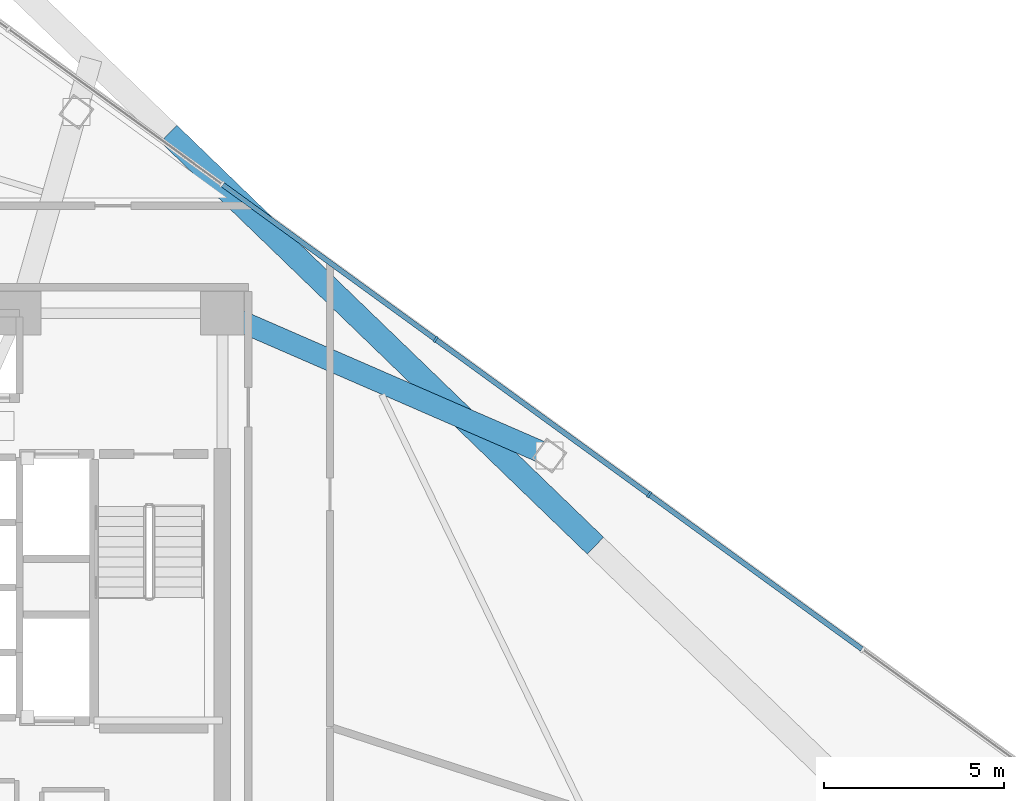
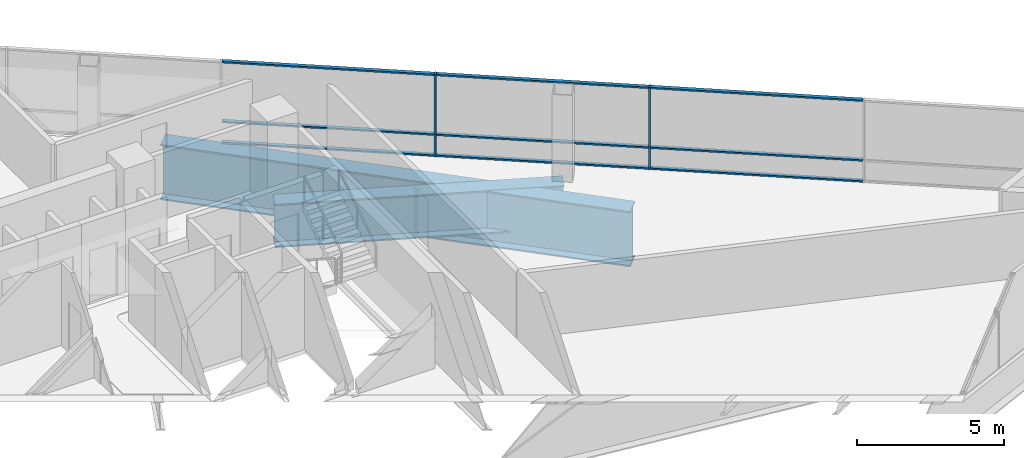
# One storey, part 9 of 17: 11 members, 2 beams, 1 element without a shape of its own.
"""IFC4 building model written with IfcOpenShell, lengths in metres."""

from ifc_helpers import new_model, si_unit, direction, frame, origin, origin_2d, place, context, subcontext, project, spatial, rectangle, i_section, extrude, material, layer, layer_set, material_profile, profile_set, type_object, element, aggregate, save


model = new_model("IFC4")

# Units and contexts
model_context = context("Model", 3, precision=1e-05, world=origin(), true_north=direction((0.0, 1.0)))
body_context = subcontext(model_context, "Body", "Model", "MODEL_VIEW")
ifc_project = project(units=[si_unit("LENGTHUNIT", "METRE"), si_unit("AREAUNIT", "SQUARE_METRE"), si_unit("VOLUMEUNIT", "CUBIC_METRE"), si_unit("PLANEANGLEUNIT", "RADIAN"), si_unit("MASSUNIT", "GRAM", prefix="KILO")], contexts=[model_context])

# Site, building, storey
site_placement = place(None, origin())
site = spatial("IfcSite", under=ifc_project, at=site_placement, CompositionType="ELEMENT")
building_placement = place(site_placement, origin())
building = spatial("IfcBuilding", under=site, at=building_placement, Name="Tharavind Bronze Gate", CompositionType="ELEMENT")
storey_placement = place(building_placement, frame((0.0, 0.0, 112.449951171875)))
storey = spatial("IfcBuildingStorey", under=building, at=storey_placement, Name="L28", CompositionType="ELEMENT", Elevation=112.449951171875)

# Curtain wall, members
ifc_material_1 = material(Name="Anodised Bronze Aluminium", Category="aluminium")
ifc_layer = layer(ifc_material_1, 0.219970703125)
ifc_layer_set = layer_set([ifc_layer], Name="Anodised Bronze Aluminium")
curtain_wall_type = type_object("IfcCurtainWallType", Name="UNITISED CURTAIN WALL LOWER OFFICE", PredefinedType="USERDEFINED", material=ifc_layer_set)
curtain_wall_placement = place(storey_placement, origin())
curtain_wall = element("IfcCurtainWall", 1, at=curtain_wall_placement, inside=storey, type_object=curtain_wall_type, Name="L28 unitised curtain wall lower office CW-L28-S3", ObjectType="UNITISED CURTAIN WALL", PredefinedType="USERDEFINED")
member_type_1 = type_object("IfcMemberType", Name="CURTAIN WALL BRONZE MULLION 65X180", PredefinedType="MULLION", material=ifc_material_1)
member_1_placement = place(storey_placement, frame((20.724365234375, 2.577392578125, 0.0), z_axis=(0.0, 0.0, 1.0), x_axis=(-0.809016994375, 0.587785252292, 0.0)))
member_1 = element("IfcMember", 2, at=member_1_placement, type_object=member_type_1, Name="CW-L28-S3 mullion 3", PredefinedType="MULLION", context=body_context, shape_type="SweptSolid", body=[
    extrude(rectangle(XDim=0.06494140625, YDim=0.179931640625, at=origin_2d()), origin(), (0.0, 0.0, 1.0), 3.409912109375),
])
member_2_placement = place(storey_placement, frame((14.807861328125, 6.876220703125, 0.0), z_axis=(0.0, 0.0, 1.0), x_axis=(-0.809016994375, 0.587785252292, 0.0)))
member_2 = element("IfcMember", 3, at=member_2_placement, type_object=member_type_1, Name="CW-L28-S3 mullion 4", PredefinedType="MULLION", context=body_context, shape_type="SweptSolid", body=[
    extrude(rectangle(XDim=0.06494140625, YDim=0.179931640625, at=origin_2d()), origin(), (0.0, 0.0, 1.0), 3.409912109375),
])
member_type_2 = type_object("IfcMemberType", Name="CURTAIN WALL BRONZE TRANSOM 65X140", PredefinedType="USERDEFINED", material=ifc_material_1)
member_3_placement = place(storey_placement, frame((23.6826171875, 0.427978515625, 0.0), z_axis=(0.0, 0.0, 1.0), x_axis=(-0.809016994375, 0.587785252292, 0.0)))
member_3 = element("IfcMember", 4, at=member_3_placement, type_object=member_type_2, Name="CW-L28-S3 transom TB2", ObjectType="TRANSOM", PredefinedType="USERDEFINED", context=body_context, shape_type="SweptSolid", body=[
    extrude(rectangle(XDim=7.260498046875, YDim=0.139892578125, at=origin_2d()), origin(), (0.0, 0.0, 1.0), 0.06494140625),
])
member_4_placement = place(storey_placement, frame((23.6826171875, 0.427978515625, 0.86767578125), z_axis=(0.0, 0.0, 1.0), x_axis=(-0.809016994375, 0.587785252292, 0.0)))
member_4 = element("IfcMember", 5, at=member_4_placement, type_object=member_type_2, Name="CW-L28-S3 transom TS2", ObjectType="TRANSOM", PredefinedType="USERDEFINED", context=body_context, shape_type="SweptSolid", body=[
    extrude(rectangle(XDim=7.260498046875, YDim=0.139892578125, at=origin_2d()), origin(), (0.0, 0.0, 1.0), 0.06494140625),
])
member_5_placement = place(storey_placement, frame((23.6826171875, 0.427978515625, 3.344970703125), z_axis=(0.0, 0.0, 1.0), x_axis=(-0.809016994375, 0.587785252292, 0.0)))
member_5 = element("IfcMember", 6, at=member_5_placement, type_object=member_type_2, Name="CW-L28-S3 transom TT2", ObjectType="TRANSOM", PredefinedType="USERDEFINED", context=body_context, shape_type="SweptSolid", body=[
    extrude(rectangle(XDim=7.260498046875, YDim=0.139892578125, at=origin_2d()), origin(), (0.0, 0.0, 1.0), 0.06494140625),
])
member_6_placement = place(storey_placement, frame((17.76611328125, 4.726806640625, 0.0), z_axis=(0.0, 0.0, 1.0), x_axis=(-0.809016994375, 0.587785252292, 0.0)))
member_6 = element("IfcMember", 7, at=member_6_placement, type_object=member_type_2, Name="CW-L28-S3 transom TB3", ObjectType="TRANSOM", PredefinedType="USERDEFINED", context=body_context, shape_type="SweptSolid", body=[
    extrude(rectangle(XDim=7.260498046875, YDim=0.139892578125, at=origin_2d()), origin(), (0.0, 0.0, 1.0), 0.06494140625),
])
member_7_placement = place(storey_placement, frame((17.76611328125, 4.726806640625, 0.86767578125), z_axis=(0.0, 0.0, 1.0), x_axis=(-0.809016994375, 0.587785252292, 0.0)))
member_7 = element("IfcMember", 8, at=member_7_placement, type_object=member_type_2, Name="CW-L28-S3 transom TS3", ObjectType="TRANSOM", PredefinedType="USERDEFINED", context=body_context, shape_type="SweptSolid", body=[
    extrude(rectangle(XDim=7.260498046875, YDim=0.139892578125, at=origin_2d()), origin(), (0.0, 0.0, 1.0), 0.06494140625),
])
member_8_placement = place(storey_placement, frame((17.76611328125, 4.726806640625, 3.344970703125), z_axis=(0.0, 0.0, 1.0), x_axis=(-0.809016994375, 0.587785252292, 0.0)))
member_8 = element("IfcMember", 9, at=member_8_placement, type_object=member_type_2, Name="CW-L28-S3 transom TT3", ObjectType="TRANSOM", PredefinedType="USERDEFINED", context=body_context, shape_type="SweptSolid", body=[
    extrude(rectangle(XDim=7.260498046875, YDim=0.139892578125, at=origin_2d()), origin(), (0.0, 0.0, 1.0), 0.06494140625),
])
member_9_placement = place(storey_placement, frame((11.849365234375, 9.025390625, 0.0), z_axis=(0.0, 0.0, 1.0), x_axis=(-0.809016994375, 0.587785252292, 0.0)))
member_9 = element("IfcMember", 10, at=member_9_placement, type_object=member_type_2, Name="CW-L28-S3 transom TB4", ObjectType="TRANSOM", PredefinedType="USERDEFINED", context=body_context, shape_type="SweptSolid", body=[
    extrude(rectangle(XDim=7.260498046875, YDim=0.139892578125, at=origin_2d()), origin(), (0.0, 0.0, 1.0), 0.06494140625),
])
member_10_placement = place(storey_placement, frame((11.849365234375, 9.025390625, 0.86767578125), z_axis=(0.0, 0.0, 1.0), x_axis=(-0.809016994375, 0.587785252292, 0.0)))
member_10 = element("IfcMember", 11, at=member_10_placement, type_object=member_type_2, Name="CW-L28-S3 transom TS4", ObjectType="TRANSOM", PredefinedType="USERDEFINED", context=body_context, shape_type="SweptSolid", body=[
    extrude(rectangle(XDim=7.260498046875, YDim=0.139892578125, at=origin_2d()), origin(), (0.0, 0.0, 1.0), 0.06494140625),
])
member_11_placement = place(storey_placement, frame((11.849365234375, 9.025390625, 3.344970703125), z_axis=(0.0, 0.0, 1.0), x_axis=(-0.809016994375, 0.587785252292, 0.0)))
member_11 = element("IfcMember", 12, at=member_11_placement, type_object=member_type_2, Name="CW-L28-S3 transom TT4", ObjectType="TRANSOM", PredefinedType="USERDEFINED", context=body_context, shape_type="SweptSolid", body=[
    extrude(rectangle(XDim=7.260498046875, YDim=0.139892578125, at=origin_2d()), origin(), (0.0, 0.0, 1.0), 0.06494140625),
])
aggregate(curtain_wall, [member_1, member_2, member_3, member_4, member_5, member_6, member_7, member_8, member_9, member_10, member_11])

# Beams
ifc_material_2 = material(Name="Steel S460", Category="steel")
ifc_material_profile_1 = material_profile(ifc_material_2, i_section(OverallWidth=0.60009765625, OverallDepth=1.800048828125, WebThickness=0.031982421875, FlangeThickness=0.054931640625, at=origin_2d()), Name="PG1800X600")
ifc_profile_set_1 = profile_set([ifc_material_profile_1], Name="Steel S460")
beam_type_1 = type_object("IfcBeamType", Name="TRANSFER GIRDER 1800X600", PredefinedType="USERDEFINED", material=ifc_profile_set_1)
beam_1_placement = place(storey_placement, frame((8.89990234375, 7.60009765625, -1.08984375), z_axis=(0.916988336064, -0.398914015199, 0.0), x_axis=(0.398914015199, 0.916988336064, 0.0)))
element("IfcBeam", 13, at=beam_1_placement, inside=storey, type_object=beam_type_1, Name="L28 transfer girder 1800x600 BM-L28-XFR10", ObjectType="TRANSFER GIRDER", PredefinedType="USERDEFINED", context=body_context, shape_type="SweptSolid", body=[
    extrude(i_section(OverallWidth=0.60009765625, OverallDepth=1.800048828125, WebThickness=0.031982421875, FlangeThickness=0.054931640625, at=origin_2d()), origin(), (0.0, 0.0, 1.0), 9.881591796875),
])
ifc_material_profile_2 = material_profile(ifc_material_2, i_section(OverallWidth=0.64990234375, OverallDepth=2.300048828125, WebThickness=0.035888671875, FlangeThickness=0.05810546875, at=origin_2d()), Name="PG2300X650")
ifc_profile_set_2 = profile_set([ifc_material_profile_2], Name="Steel S460")
beam_type_2 = type_object("IfcBeamType", Name="TRANSFER GIRDER 2300X650", PredefinedType="USERDEFINED", material=ifc_profile_set_2)
beam_2_placement = place(storey_placement, frame((19.236083984375, 1.160400390625, -1.33984375), z_axis=(-0.719344374421, 0.694653633827, 0.0), x_axis=(-0.694653633827, -0.719344374421, 0.0)))
element("IfcBeam", 14, at=beam_2_placement, inside=storey, type_object=beam_type_2, Name="L28 transfer girder 2300x650 BM-L28-LRG10", ObjectType="TRANSFER GIRDER", PredefinedType="USERDEFINED", context=body_context, shape_type="SweptSolid", body=[
    extrude(i_section(OverallWidth=0.64990234375, OverallDepth=2.300048828125, WebThickness=0.035888671875, FlangeThickness=0.05810546875, at=origin_2d()), origin(), (0.0, 0.0, 1.0), 16.433837890625),
])

save(model, "model.ifc")
